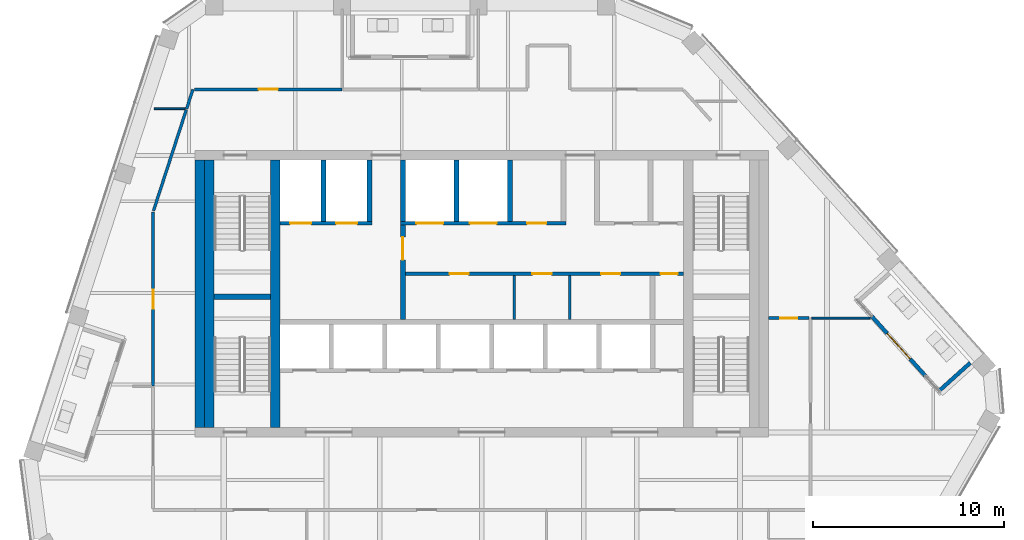
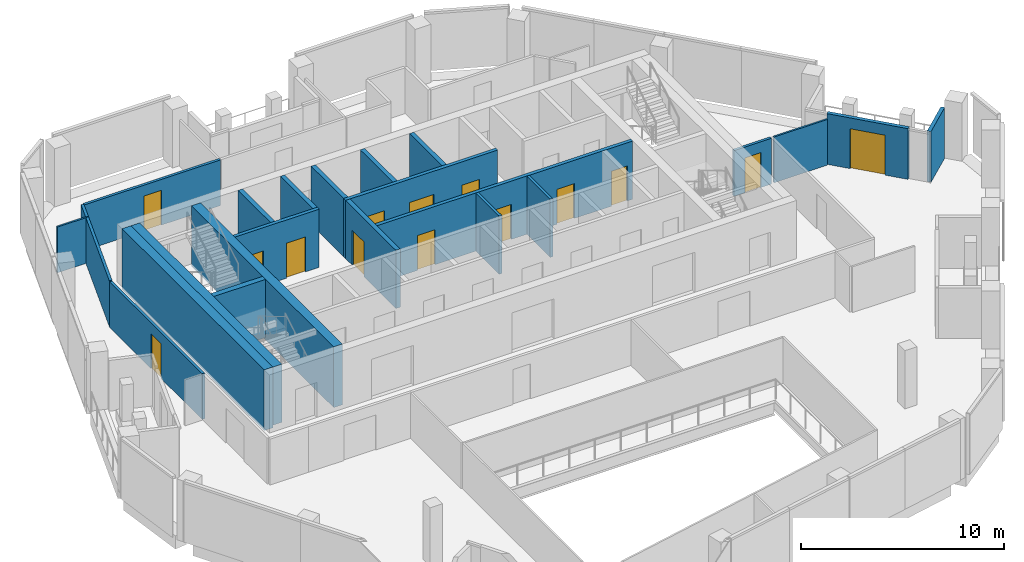
# One storey, part 12 of 20: 24 walls, 14 doors, 14 openings.
"""IFC4 building model written with IfcOpenShell, lengths in metres."""

from ifc_helpers import new_model, si_unit, direction, frame, frame_2d, origin, place, context, subcontext, project, spatial, rectangle, extrude, material, layer, layer_set, type_object, element, fill, save


model = new_model("IFC4")

# Units and contexts
model_context = context("Model", 3, precision=1e-05, world=origin(), true_north=direction((0.0, 1.0)))
body_context = subcontext(model_context, "Body", "Model", "MODEL_VIEW")
ifc_project = project(units=[si_unit("LENGTHUNIT", "METRE"), si_unit("AREAUNIT", "SQUARE_METRE"), si_unit("VOLUMEUNIT", "CUBIC_METRE"), si_unit("PLANEANGLEUNIT", "RADIAN"), si_unit("MASSUNIT", "GRAM", prefix="KILO")], contexts=[model_context])

# Site, building, storey
site_placement = place(None, origin())
site = spatial("IfcSite", under=ifc_project, at=site_placement, CompositionType="ELEMENT")
building_placement = place(site_placement, origin())
building = spatial("IfcBuilding", under=site, at=building_placement, Name="Isthmus Gate Tower", CompositionType="ELEMENT")
storey_placement = place(building_placement, frame((0.0, 0.0, 279.199951171875)))
storey = spatial("IfcBuildingStorey", under=building, at=storey_placement, Name="L71", CompositionType="ELEMENT", Elevation=279.199951171875)

# Wall
ifc_material_1 = material(Name="Gypsum board on steel studs, fire-rated", Category="steel")
ifc_layer_1 = layer(ifc_material_1, 0.14990234375)
ifc_layer_set_1 = layer_set([ifc_layer_1], Name="CORRIDOR WALL 150 60 MIN")
wall_type_1 = type_object("IfcWallType", Name="CORRIDOR WALL 150 60 MIN", PredefinedType="PARTITIONING", material=ifc_layer_set_1)
wall_1_placement = place(storey_placement, frame((-15.44189453125, 17.18701171875, 0.0), z_axis=(0.0, 0.0, 1.0), x_axis=(0.308790594164, 0.951130048393, 0.0)))
element("IfcWall", 1, at=wall_1_placement, inside=storey, type_object=wall_type_1, Name="L71 Corridor Wall 150 60 Min", PredefinedType="PARTITIONING", context=body_context, shape_type="SweptSolid", body=[
    extrude(rectangle(XDim=1.06494140625, YDim=0.14990234375, at=frame_2d((0.532470703125, 0.0))), origin(), (0.0, 0.0, 1.0), 2.750732421875),
])

# Wall, opening, door
wall_2_placement = place(storey_placement, frame((-15.0380859375, 18.199951171875, 0.0), z_axis=(0.0, 0.0, 1.0), x_axis=(1.0, 0.0, 0.0)))
wall_2 = element("IfcWall", 2, at=wall_2_placement, inside=storey, type_object=wall_type_1, Name="L71 Corridor Wall 150 60 Min", PredefinedType="PARTITIONING", context=body_context, shape_type="SweptSolid", body=[
    extrude(rectangle(XDim=7.72802734375, YDim=0.14990234375, at=frame_2d((3.864013671875, 0.0))), origin(), (0.0, 0.0, 1.0), 2.750732421875),
])
opening_1_placement = place(wall_2_placement, frame((3.364013671875, 0.0, 0.0)))
opening_1 = element("IfcOpeningElement", 3, at=opening_1_placement, cuts=wall_2, Name="Opening DT-T6B-01", PredefinedType="OPENING", context=body_context, shape_type="SweptSolid", body=[
    extrude(rectangle(XDim=1.0, YDim=2.10009765625, at=frame_2d((0.5, 1.050048828125))), frame((0.0, 0.0849609375, 0.0), z_axis=(0.0, -1.0, 0.0), x_axis=(1.0, 0.0, 0.0)), (0.0, 0.0, 1.0), 0.169921875),
])
ifc_material_2 = material(Name="Solid core timber door leaf, fire-rated", Category="wood")
door_type_1 = type_object("IfcDoorType", Name="FIRE DOOR ROOM 1000 X 2100 60 MIN", OperationType="SINGLE_SWING_LEFT", PredefinedType="DOOR", material=ifc_material_2)
door_1_placement = place(opening_1_placement, origin())
door_1 = element("IfcDoor", 4, at=door_1_placement, inside=storey, type_object=door_type_1, Name="L71 room door", OperationType="SINGLE_SWING_RIGHT", OverallHeight=2.10009765625, OverallWidth=1.0, PredefinedType="DOOR", context=body_context, shape_type="SweptSolid", body=[
    extrude(rectangle(XDim=1.0, YDim=2.10009765625, at=frame_2d((0.5, 1.050048828125))), frame((0.0, 0.02490234375, 0.0), z_axis=(0.0, -1.0, 0.0), x_axis=(1.0, 0.0, 0.0)), (0.0, 0.0, 1.0), 0.050048828125),
])
fill(opening_1, door_1)

wall_3_placement = place(storey_placement, frame((15.0, 6.235107421875, 0.0), z_axis=(0.0, 0.0, 1.0), x_axis=(1.0, 0.0, 0.0)))
wall_3 = element("IfcWall", 5, at=wall_3_placement, inside=storey, type_object=wall_type_1, Name="L71 Corridor Wall 150 60 Min", PredefinedType="PARTITIONING", context=body_context, shape_type="SweptSolid", body=[
    extrude(rectangle(XDim=2.125, YDim=0.14990234375, at=frame_2d((1.0625, 0.0))), origin(), (0.0, 0.0, 1.0), 2.750732421875),
])
opening_2_placement = place(wall_3_placement, frame((0.612548828125, 0.0, 0.0)))
opening_2 = element("IfcOpeningElement", 6, at=opening_2_placement, cuts=wall_3, Name="Opening DT-T6B-04", PredefinedType="OPENING", context=body_context, shape_type="SweptSolid", body=[
    extrude(rectangle(XDim=0.89990234375, YDim=2.10009765625, at=frame_2d((0.449951171875, 1.050048828125))), frame((0.0, 0.0849609375, 0.0), z_axis=(0.0, -1.0, 0.0), x_axis=(1.0, 0.0, 0.0)), (0.0, 0.0, 1.0), 0.169921875),
])
ifc_material_3 = material(Name="Solid core timber door leaf, fire-rated", Category="wood")
door_type_2 = type_object("IfcDoorType", Name="FIRE DOOR ROOM 900 X 2100 60 MIN", OperationType="SINGLE_SWING_LEFT", PredefinedType="DOOR", material=ifc_material_3)
door_2_placement = place(opening_2_placement, origin())
door_2 = element("IfcDoor", 7, at=door_2_placement, inside=storey, type_object=door_type_2, Name="L71 room door", OperationType="SINGLE_SWING_LEFT", OverallHeight=2.10009765625, OverallWidth=0.89990234375, PredefinedType="DOOR", context=body_context, shape_type="SweptSolid", body=[
    extrude(rectangle(XDim=0.89990234375, YDim=2.10009765625, at=frame_2d((0.449951171875, 1.050048828125))), frame((0.0, 0.02490234375, 0.0), z_axis=(0.0, -1.0, 0.0), x_axis=(1.0, 0.0, 0.0)), (0.0, 0.0, 1.0), 0.050048828125),
])
fill(opening_2, door_2)

wall_4_placement = place(storey_placement, frame((-17.199951171875, 2.669921875, 0.0), z_axis=(0.0, 0.0, 1.0), x_axis=(0.0, 1.0, 0.0)))
wall_4 = element("IfcWall", 8, at=wall_4_placement, inside=storey, type_object=wall_type_1, Name="L71 Corridor Wall 150 60 Min", PredefinedType="PARTITIONING", context=body_context, shape_type="SweptSolid", body=[
    extrude(rectangle(XDim=9.107177734375, YDim=0.14990234375, at=frame_2d((4.5537109375, 0.0))), origin(), (0.0, 0.0, 1.0), 2.750732421875),
])
opening_3_placement = place(wall_4_placement, frame((4.053466796875, 0.0, 0.0)))
opening_3 = element("IfcOpeningElement", 9, at=opening_3_placement, cuts=wall_4, Name="Opening DT-T6B-05", PredefinedType="OPENING", context=body_context, shape_type="SweptSolid", body=[
    extrude(rectangle(XDim=1.0, YDim=2.10009765625, at=frame_2d((0.5, 1.050048828125))), frame((0.0, 0.0849609375, 0.0), z_axis=(0.0, -1.0, 0.0), x_axis=(1.0, 0.0, 0.0)), (0.0, 0.0, 1.0), 0.169921875),
])
door_3_placement = place(opening_3_placement, origin())
door_3 = element("IfcDoor", 10, at=door_3_placement, inside=storey, type_object=door_type_1, Name="L71 room door", OperationType="SINGLE_SWING_RIGHT", OverallHeight=2.10009765625, OverallWidth=1.0, PredefinedType="DOOR", context=body_context, shape_type="SweptSolid", body=[
    extrude(rectangle(XDim=1.0, YDim=2.10009765625, at=frame_2d((0.5, 1.050048828125))), frame((0.0, 0.02490234375, 0.0), z_axis=(0.0, -1.0, 0.0), x_axis=(1.0, 0.0, 0.0)), (0.0, 0.0, 1.0), 0.050048828125),
])
fill(opening_3, door_3)

# Wall
wall_5_placement = place(storey_placement, frame((-17.1767578125, 11.848388671875, 0.0), z_axis=(0.0, 0.0, 1.0), x_axis=(0.309030503714, 0.951052126739, 0.0)))
element("IfcWall", 11, at=wall_5_placement, inside=storey, type_object=wall_type_1, Name="L71 Corridor Wall 150 60 Min", PredefinedType="PARTITIONING", context=body_context, shape_type="SweptSolid", body=[
    extrude(rectangle(XDim=5.563232421875, YDim=0.14990234375, at=frame_2d((2.78173828125, 0.0))), origin(), (0.0, 0.0, 1.0), 2.750732421875),
])

# Wall, opening, door
ifc_material_4 = material(Name="Fire-rated blockwork masonry, 15 MPa", Category="masonry")
ifc_layer_2 = layer(ifc_material_4, 0.25)
ifc_layer_set_2 = layer_set([ifc_layer_2], Name="FIRE-FIGHTING LOBBY WALL 250 90 MIN")
wall_type_2 = type_object("IfcWallType", Name="FIRE-FIGHTING LOBBY WALL 250 90 MIN", PredefinedType="PARTITIONING", material=ifc_layer_set_2)
wall_6_placement = place(storey_placement, frame((-4.125, 6.14990234375, 0.0), z_axis=(0.0, 0.0, 1.0), x_axis=(0.0, 1.0, 0.0)))
wall_6 = element("IfcWall", 12, at=wall_6_placement, inside=storey, type_object=wall_type_2, Name="L71 FIRE-FIGHTING LOBBY WALL 250 90 MIN", PredefinedType="PARTITIONING", context=body_context, shape_type="SweptSolid", body=[
    extrude(rectangle(XDim=4.9501953125, YDim=0.25, at=frame_2d((2.47509765625, 0.0))), origin(), (0.0, 0.0, 1.0), 3.5),
])
opening_4_placement = place(wall_6_placement, frame((3.125, 0.0, 0.0)))
opening_4 = element("IfcOpeningElement", 13, at=opening_4_placement, cuts=wall_6, Name="Opening DC-A17-01", PredefinedType="OPENING", context=body_context, shape_type="SweptSolid", body=[
    extrude(rectangle(XDim=1.199951171875, YDim=2.10009765625, at=frame_2d((0.60009765625, 1.050048828125))), frame((0.0, 0.135009765625, 0.0), z_axis=(0.0, -1.0, 0.0), x_axis=(1.0, 0.0, 0.0)), (0.0, 0.0, 1.0), 0.27001953125),
])
ifc_material_5 = material(Name="Steel door leaf, fire-rated", Category="steel")
door_type_3 = type_object("IfcDoorType", Name="LOBBY FIRE DOOR 1200 X 2100 90 MIN", OperationType="DOUBLE_DOOR_SINGLE_SWING", PredefinedType="DOOR", material=ifc_material_5)
door_4_placement = place(opening_4_placement, origin())
door_4 = element("IfcDoor", 14, at=door_4_placement, inside=storey, type_object=door_type_3, Name="Fire-fighting Lobby Door", OperationType="SINGLE_SWING_LEFT", OverallHeight=2.10009765625, OverallWidth=1.199951171875, PredefinedType="DOOR", context=body_context, shape_type="SweptSolid", body=[
    extrude(rectangle(XDim=1.199951171875, YDim=2.10009765625, at=frame_2d((0.60009765625, 1.050048828125))), frame((0.0, 0.02490234375, 0.0), z_axis=(0.0, -1.0, 0.0), x_axis=(1.0, 0.0, 0.0)), (0.0, 0.0, 1.0), 0.050048828125),
])
fill(opening_4, door_4)

ifc_material_6 = material(Name="Precast concrete C40/50", Category="concrete")
ifc_layer_3 = layer(ifc_material_6, 0.199951171875)
ifc_layer_set_3 = layer_set([ifc_layer_3], Name="LOGGIA WALL 200")
wall_type_3 = type_object("IfcWallType", Name="LOGGIA WALL 200", PredefinedType="SOLIDWALL", material=ifc_layer_set_3)
wall_7_placement = place(storey_placement, frame((23.216552734375, 3.204345703125, 0.0), z_axis=(0.0, 0.0, 1.0), x_axis=(-0.669138140895, 0.743138041282, 0.0)))
wall_7 = element("IfcWall", 15, at=wall_7_placement, inside=storey, type_object=wall_type_3, Name="LOGGIA BACK WALL", PredefinedType="SOLIDWALL", context=body_context, shape_type="SweptSolid", body=[
    extrude(rectangle(XDim=4.199951171875, YDim=0.199951171875, at=frame_2d((2.10009765625, 0.0))), origin(), (0.0, 0.0, 1.0), 3.050048828125),
])
opening_5_placement = place(wall_7_placement, frame((1.199951171875, 0.0, 0.0)))
opening_5 = element("IfcOpeningElement", 16, at=opening_5_placement, cuts=wall_7, Name="Opening DE71-05", PredefinedType="OPENING", context=body_context, shape_type="SweptSolid", body=[
    extrude(rectangle(XDim=1.800048828125, YDim=2.39990234375, at=frame_2d((0.89990234375, 1.199951171875))), frame((0.0, 0.10986328125, 0.0), z_axis=(0.0, -1.0, 0.0), x_axis=(1.0, 0.0, 0.0)), (0.0, 0.0, 1.0), 0.219970703125),
])
ifc_material_7 = material(Name="Aluminium, pale champagne anodised, laminated glass", Category="aluminium")
door_type_4 = type_object("IfcDoorType", Name="LOGGIA DOOR SLIDING 1800 X 2400", OperationType="DOUBLE_DOOR_SLIDING", PredefinedType="DOOR", material=ifc_material_7)
door_5_placement = place(opening_5_placement, origin())
door_5 = element("IfcDoor", 17, at=door_5_placement, inside=storey, type_object=door_type_4, Name="DOOR DE71-05", OperationType="SINGLE_SWING_LEFT", OverallHeight=2.39990234375, OverallWidth=1.800048828125, PredefinedType="DOOR", context=body_context, shape_type="SweptSolid", body=[
    extrude(rectangle(XDim=1.800048828125, YDim=2.39990234375, at=frame_2d((0.89990234375, 1.199951171875))), frame((0.0, 0.02490234375, 0.0), z_axis=(0.0, -1.0, 0.0), x_axis=(1.0, 0.0, 0.0)), (0.0, 0.0, 1.0), 0.050048828125),
])
fill(opening_5, door_5)

# Walls
wall_8_placement = place(storey_placement, frame((25.556396484375, 3.8935546875, 0.0), z_axis=(0.0, 0.0, 1.0), x_axis=(-0.743138493482, -0.669137638686, 0.0)))
element("IfcWall", 18, at=wall_8_placement, inside=storey, type_object=wall_type_3, Name="LOGGIA SIDE WALL", PredefinedType="SOLIDWALL", context=body_context, shape_type="SweptSolid", body=[
    extrude(rectangle(XDim=2.18408203125, YDim=0.199951171875, at=frame_2d((1.092041015625, 0.0))), origin(), (0.0, 0.0, 1.0), 3.050048828125),
])
ifc_material_8 = material(Name="Concrete f'c 50 MPa", Category="concrete")
ifc_layer_4 = layer(ifc_material_8, 0.5)
ifc_layer_set_4 = layer_set([ifc_layer_4], Name="RC CORE SPINE WALL 500 F'C 50")
wall_type_4 = type_object("IfcWallType", Name="RC CORE SPINE WALL 500 F'C 50", PredefinedType="SOLIDWALL", material=ifc_layer_set_4)
wall_9_placement = place(storey_placement, frame((-10.800048828125, 0.5, -0.14990234375), z_axis=(0.0, 0.0, 1.0), x_axis=(0.0, 1.0, 0.0)))
element("IfcWall", 19, at=wall_9_placement, inside=storey, type_object=wall_type_4, Name="str-corewall-L71-SPW", PredefinedType="SOLIDWALL", context=body_context, shape_type="SweptSolid", body=[
    extrude(rectangle(XDim=14.0, YDim=0.5, at=frame_2d((7.0, 0.0))), origin(), (0.0, 0.0, 1.0), 3.64990234375),
])
ifc_material_9 = material(Name="Concrete f'c 50 MPa", Category="concrete")
ifc_layer_5 = layer(ifc_material_9, 0.5)
ifc_layer_set_5 = layer_set([ifc_layer_5], Name="RC CORE WALL 500 F'C 50")
wall_type_5 = type_object("IfcWallType", Name="RC CORE WALL 500 F'C 50", PredefinedType="SOLIDWALL", material=ifc_layer_set_5)
wall_10_placement = place(storey_placement, frame((-14.75, 0.5, -0.14990234375), z_axis=(0.0, 0.0, 1.0), x_axis=(0.0, 1.0, 0.0)))
element("IfcWall", 20, at=wall_10_placement, inside=storey, type_object=wall_type_5, Name="str-corewall-L71-W", PredefinedType="SOLIDWALL", context=body_context, shape_type="SweptSolid", body=[
    extrude(rectangle(XDim=14.0, YDim=0.5, at=frame_2d((7.0, 0.0))), origin(), (0.0, 0.0, 1.0), 3.64990234375),
])
ifc_material_10 = material(Name="Gypsum board on steel studs, fire-rated", Category="steel")
ifc_layer_6 = layer(ifc_material_10, 0.10009765625)
ifc_layer_set_6 = layer_set([ifc_layer_6], Name="ROOM PARTITION 100 30 MIN")
wall_type_6 = type_object("IfcWallType", Name="ROOM PARTITION 100 30 MIN", PredefinedType="PARTITIONING", material=ifc_layer_set_6)
wall_11_placement = place(storey_placement, frame((-17.139892578125, 17.18701171875, 0.0), z_axis=(0.0, 0.0, 1.0), x_axis=(1.0, 0.0, 0.0)))
element("IfcWall", 21, at=wall_11_placement, inside=storey, type_object=wall_type_6, Name="L71 Room Partition 100 30 Min", PredefinedType="PARTITIONING", context=body_context, shape_type="SweptSolid", body=[
    extrude(rectangle(XDim=1.622802734375, YDim=0.10009765625, at=frame_2d((0.8115234375, 0.0))), origin(), (0.0, 0.0, 1.0), 2.750732421875),
])
wall_12_placement = place(storey_placement, frame((17.27490234375, 6.235107421875, 0.0), z_axis=(0.0, 0.0, 1.0), x_axis=(0.999999971117, 0.000240346091, 0.0)))
element("IfcWall", 22, at=wall_12_placement, inside=storey, type_object=wall_type_6, Name="L71 Room Partition 100 30 Min", PredefinedType="PARTITIONING", context=body_context, shape_type="SweptSolid", body=[
    extrude(rectangle(XDim=3.04736328125, YDim=0.10009765625, at=frame_2d((1.523681640625, 0.0))), origin(), (0.0, 0.0, 1.0), 2.750732421875),
])
ifc_material_11 = material(Name="Gypsum board on steel studs, fire-rated", Category="steel")
ifc_layer_7 = layer(ifc_material_11, 0.14990234375)
ifc_layer_set_7 = layer_set([ifc_layer_7], Name="ROOM PARTITION 150 60 MIN")
wall_type_7 = type_object("IfcWallType", Name="ROOM PARTITION 150 60 MIN", PredefinedType="PARTITIONING", material=ifc_layer_set_7)
for number, where, z_axis, x_axis, name in (
    (23, (1.699951171875, 6.14990234375, 0.0), (0.0, 0.0, 1.0), (0.0, 1.0, 0.0), "L71 ROOM PARTITION 150 60 MIN"),
    (24, (4.60009765625, 6.14990234375, 0.0), (0.0, 0.0, 1.0), (0.0, 1.0, 0.0), "L71 ROOM PARTITION 150 60 MIN"),
):
    element("IfcWall", number, at=place(storey_placement, frame(where, z_axis=z_axis, x_axis=x_axis)), inside=storey, type_object=wall_type_7, Name=name, PredefinedType="PARTITIONING", context=body_context, shape_type="SweptSolid", body=[
        extrude(rectangle(XDim=2.300048828125, YDim=0.14990234375, at=frame_2d((1.14990234375, 0.0))), origin(), (0.0, 0.0, 1.0), 3.5),
    ])

# Wall, openings, doors
ifc_material_12 = material(Name="Fire-rated blockwork masonry, 15 MPa", Category="masonry")
ifc_layer_8 = layer(ifc_material_12, 0.199951171875)
ifc_layer_set_8 = layer_set([ifc_layer_8], Name="SHAFT FRONT WALL 200 120 MIN")
wall_type_8 = type_object("IfcWallType", Name="SHAFT FRONT WALL 200 120 MIN", PredefinedType="PARTITIONING", material=ifc_layer_set_8)
wall_13_placement = place(storey_placement, frame((-4.125, 8.550048828125, 0.0), z_axis=(0.0, 0.0, 1.0), x_axis=(1.0, 0.0, 0.0)))
wall_13 = element("IfcWall", 25, at=wall_13_placement, inside=storey, type_object=wall_type_8, Name="L71 SHAFT FRONT WALL 200 120 MIN", PredefinedType="PARTITIONING", context=body_context, shape_type="SweptSolid", body=[
    extrude(rectangle(XDim=14.675048828125, YDim=0.199951171875, at=frame_2d((7.33740234375, 0.0))), origin(), (0.0, 0.0, 1.0), 3.5),
])
opening_6_placement = place(wall_13_placement, frame((2.4375, 0.0, 0.0)))
opening_6 = element("IfcOpeningElement", 26, at=opening_6_placement, cuts=wall_13, Name="Opening DC-A17-03", PredefinedType="OPENING", context=body_context, shape_type="SweptSolid", body=[
    extrude(rectangle(XDim=1.0, YDim=2.10009765625, at=frame_2d((0.5, 1.050048828125))), frame((0.0, 0.10986328125, 0.0), z_axis=(0.0, -1.0, 0.0), x_axis=(1.0, 0.0, 0.0)), (0.0, 0.0, 1.0), 0.219970703125),
])
opening_7_placement = place(wall_13_placement, frame((6.77490234375, 0.0, 0.0)))
opening_7 = element("IfcOpeningElement", 27, at=opening_7_placement, cuts=wall_13, Name="Opening DC-A17-04", PredefinedType="OPENING", context=body_context, shape_type="SweptSolid", body=[
    extrude(rectangle(XDim=1.0, YDim=2.10009765625, at=frame_2d((0.5, 1.050048828125))), frame((0.0, 0.10986328125, 0.0), z_axis=(0.0, -1.0, 0.0), x_axis=(1.0, 0.0, 0.0)), (0.0, 0.0, 1.0), 0.219970703125),
])
opening_8_placement = place(wall_13_placement, frame((10.362548828125, 0.0, 0.0)))
opening_8 = element("IfcOpeningElement", 28, at=opening_8_placement, cuts=wall_13, Name="Opening DC-A17-05", PredefinedType="OPENING", context=body_context, shape_type="SweptSolid", body=[
    extrude(rectangle(XDim=1.0, YDim=2.10009765625, at=frame_2d((0.5, 1.050048828125))), frame((0.0, 0.10986328125, 0.0), z_axis=(0.0, -1.0, 0.0), x_axis=(1.0, 0.0, 0.0)), (0.0, 0.0, 1.0), 0.219970703125),
])
opening_9_placement = place(wall_13_placement, frame((13.47509765625, 0.0, 0.0)))
opening_9 = element("IfcOpeningElement", 29, at=opening_9_placement, cuts=wall_13, Name="Opening DC-A17-06", PredefinedType="OPENING", context=body_context, shape_type="SweptSolid", body=[
    extrude(rectangle(XDim=0.89990234375, YDim=2.10009765625, at=frame_2d((0.449951171875, 1.050048828125))), frame((0.0, 0.10986328125, 0.0), z_axis=(0.0, -1.0, 0.0), x_axis=(1.0, 0.0, 0.0)), (0.0, 0.0, 1.0), 0.219970703125),
])
ifc_material_13 = material(Name="Steel door leaf, fire-rated", Category="steel")
door_type_5 = type_object("IfcDoorType", Name="FIRE DOOR 1000 X 2100 60 MIN", OperationType="SINGLE_SWING_LEFT", PredefinedType="DOOR", material=ifc_material_13)
door_6_placement = place(opening_6_placement, origin())
door_6 = element("IfcDoor", 30, at=door_6_placement, inside=storey, type_object=door_type_5, Name="WC Men Door", OperationType="SINGLE_SWING_LEFT", OverallHeight=2.10009765625, OverallWidth=1.0, PredefinedType="DOOR", context=body_context, shape_type="SweptSolid", body=[
    extrude(rectangle(XDim=1.0, YDim=2.10009765625, at=frame_2d((0.5, 1.050048828125))), frame((0.0, 0.02490234375, 0.0), z_axis=(0.0, -1.0, 0.0), x_axis=(1.0, 0.0, 0.0)), (0.0, 0.0, 1.0), 0.050048828125),
])
fill(opening_6, door_6)
door_7_placement = place(opening_7_placement, origin())
door_7 = element("IfcDoor", 31, at=door_7_placement, inside=storey, type_object=door_type_5, Name="Accessible WC Door", OperationType="SINGLE_SWING_RIGHT", OverallHeight=2.10009765625, OverallWidth=1.0, PredefinedType="DOOR", context=body_context, shape_type="SweptSolid", body=[
    extrude(rectangle(XDim=1.0, YDim=2.10009765625, at=frame_2d((0.5, 1.050048828125))), frame((0.0, 0.02490234375, 0.0), z_axis=(0.0, -1.0, 0.0), x_axis=(1.0, 0.0, 0.0)), (0.0, 0.0, 1.0), 0.050048828125),
])
fill(opening_7, door_7)
door_8_placement = place(opening_8_placement, origin())
door_8 = element("IfcDoor", 32, at=door_8_placement, inside=storey, type_object=door_type_5, Name="WC Women Door", OperationType="SINGLE_SWING_LEFT", OverallHeight=2.10009765625, OverallWidth=1.0, PredefinedType="DOOR", context=body_context, shape_type="SweptSolid", body=[
    extrude(rectangle(XDim=1.0, YDim=2.10009765625, at=frame_2d((0.5, 1.050048828125))), frame((0.0, 0.02490234375, 0.0), z_axis=(0.0, -1.0, 0.0), x_axis=(1.0, 0.0, 0.0)), (0.0, 0.0, 1.0), 0.050048828125),
])
fill(opening_8, door_8)
ifc_material_14 = material(Name="Steel door leaf, fire-rated", Category="steel")
door_type_6 = type_object("IfcDoorType", Name="RISER FIRE DOOR 900 X 2100 90 MIN", OperationType="SINGLE_SWING_LEFT", PredefinedType="DOOR", material=ifc_material_14)
door_9_placement = place(opening_9_placement, origin())
door_9 = element("IfcDoor", 33, at=door_9_placement, inside=storey, type_object=door_type_6, Name="Riser Door", OperationType="SINGLE_SWING_RIGHT", OverallHeight=2.10009765625, OverallWidth=0.89990234375, PredefinedType="DOOR", context=body_context, shape_type="SweptSolid", body=[
    extrude(rectangle(XDim=0.89990234375, YDim=2.10009765625, at=frame_2d((0.449951171875, 1.050048828125))), frame((0.0, 0.02490234375, 0.0), z_axis=(0.0, -1.0, 0.0), x_axis=(1.0, 0.0, 0.0)), (0.0, 0.0, 1.0), 0.050048828125),
])
fill(opening_9, door_9)

wall_14_placement = place(storey_placement, frame((-10.550048828125, 11.199951171875, 0.0), z_axis=(0.0, 0.0, 1.0), x_axis=(1.0, 0.0, 0.0)))
wall_14 = element("IfcWall", 34, at=wall_14_placement, inside=storey, type_object=wall_type_8, Name="L71 SHAFT FRONT WALL 200 120 MIN", PredefinedType="PARTITIONING", context=body_context, shape_type="SweptSolid", body=[
    extrude(rectangle(XDim=4.800048828125, YDim=0.199951171875, at=frame_2d((2.39990234375, 0.0))), origin(), (0.0, 0.0, 1.0), 3.5),
])
opening_10_placement = place(wall_14_placement, frame((0.52490234375, 0.0, 0.0)))
opening_10 = element("IfcOpeningElement", 35, at=opening_10_placement, cuts=wall_14, Name="Opening LD-LF1", PredefinedType="OPENING", context=body_context, shape_type="SweptSolid", body=[
    extrude(rectangle(XDim=1.10009765625, YDim=2.10009765625, at=frame_2d((0.550048828125, 1.050048828125))), frame((0.0, 0.10986328125, 0.0), z_axis=(0.0, -1.0, 0.0), x_axis=(1.0, 0.0, 0.0)), (0.0, 0.0, 1.0), 0.219970703125),
])
opening_11_placement = place(wall_14_placement, frame((2.925048828125, 0.0, 0.0)))
opening_11 = element("IfcOpeningElement", 36, at=opening_11_placement, cuts=wall_14, Name="Opening LD-LF2", PredefinedType="OPENING", context=body_context, shape_type="SweptSolid", body=[
    extrude(rectangle(XDim=1.10009765625, YDim=2.10009765625, at=frame_2d((0.550048828125, 1.050048828125))), frame((0.0, 0.10986328125, 0.0), z_axis=(0.0, -1.0, 0.0), x_axis=(1.0, 0.0, 0.0)), (0.0, 0.0, 1.0), 0.219970703125),
])
ifc_material_15 = material(Name="Stainless steel sliding leaf", Category="steel")
door_type_7 = type_object("IfcDoorType", Name="LIFT LANDING FIRE DOOR 1100 X 2100 90 MIN", OperationType="DOUBLE_DOOR_SLIDING", PredefinedType="DOOR", material=ifc_material_15)
door_10_placement = place(opening_10_placement, origin())
door_10 = element("IfcDoor", 37, at=door_10_placement, inside=storey, type_object=door_type_7, Name="Lift Landing Door LF1", OperationType="DOUBLE_DOOR_SLIDING", OverallHeight=2.10009765625, OverallWidth=1.10009765625, PredefinedType="DOOR", context=body_context, shape_type="SweptSolid", body=[
    extrude(rectangle(XDim=1.10009765625, YDim=2.10009765625, at=frame_2d((0.550048828125, 1.050048828125))), frame((0.0, 0.02490234375, 0.0), z_axis=(0.0, -1.0, 0.0), x_axis=(1.0, 0.0, 0.0)), (0.0, 0.0, 1.0), 0.050048828125),
])
fill(opening_10, door_10)
door_11_placement = place(opening_11_placement, origin())
door_11 = element("IfcDoor", 38, at=door_11_placement, inside=storey, type_object=door_type_7, Name="Lift Landing Door LF2", OperationType="DOUBLE_DOOR_SLIDING", OverallHeight=2.10009765625, OverallWidth=1.10009765625, PredefinedType="DOOR", context=body_context, shape_type="SweptSolid", body=[
    extrude(rectangle(XDim=1.10009765625, YDim=2.10009765625, at=frame_2d((0.550048828125, 1.050048828125))), frame((0.0, 0.02490234375, 0.0), z_axis=(0.0, -1.0, 0.0), x_axis=(1.0, 0.0, 0.0)), (0.0, 0.0, 1.0), 0.050048828125),
])
fill(opening_11, door_11)

wall_15_placement = place(storey_placement, frame((-4.25, 11.199951171875, 0.0), z_axis=(0.0, 0.0, 1.0), x_axis=(1.0, 0.0, 0.0)))
wall_15 = element("IfcWall", 39, at=wall_15_placement, inside=storey, type_object=wall_type_8, Name="L71 SHAFT FRONT WALL 200 120 MIN", PredefinedType="PARTITIONING", context=body_context, shape_type="SweptSolid", body=[
    extrude(rectangle(XDim=8.64990234375, YDim=0.199951171875, at=frame_2d((4.324951171875, 0.0))), origin(), (0.0, 0.0, 1.0), 3.5),
])
opening_12_placement = place(wall_15_placement, frame((0.824951171875, 0.0, 0.0)))
opening_12 = element("IfcOpeningElement", 40, at=opening_12_placement, cuts=wall_15, Name="Opening LD-LV1", PredefinedType="OPENING", context=body_context, shape_type="SweptSolid", body=[
    extrude(rectangle(XDim=1.39990234375, YDim=2.10009765625, at=frame_2d((0.699951171875, 1.050048828125))), frame((0.0, 0.10986328125, 0.0), z_axis=(0.0, -1.0, 0.0), x_axis=(1.0, 0.0, 0.0)), (0.0, 0.0, 1.0), 0.219970703125),
])
opening_13_placement = place(wall_15_placement, frame((3.625, 0.0, 0.0)))
opening_13 = element("IfcOpeningElement", 41, at=opening_13_placement, cuts=wall_15, Name="Opening LD-LV2", PredefinedType="OPENING", context=body_context, shape_type="SweptSolid", body=[
    extrude(rectangle(XDim=1.39990234375, YDim=2.10009765625, at=frame_2d((0.699951171875, 1.050048828125))), frame((0.0, 0.10986328125, 0.0), z_axis=(0.0, -1.0, 0.0), x_axis=(1.0, 0.0, 0.0)), (0.0, 0.0, 1.0), 0.219970703125),
])
opening_14_placement = place(wall_15_placement, frame((6.625, 0.0, 0.0)))
opening_14 = element("IfcOpeningElement", 42, at=opening_14_placement, cuts=wall_15, Name="Opening DC-A17-07", PredefinedType="OPENING", context=body_context, shape_type="SweptSolid", body=[
    extrude(rectangle(XDim=1.0, YDim=2.10009765625, at=frame_2d((0.5, 1.050048828125))), frame((0.0, 0.10986328125, 0.0), z_axis=(0.0, -1.0, 0.0), x_axis=(1.0, 0.0, 0.0)), (0.0, 0.0, 1.0), 0.219970703125),
])
door_12_placement = place(opening_14_placement, origin())
door_12 = element("IfcDoor", 43, at=door_12_placement, inside=storey, type_object=door_type_5, Name="Pantry Door", OperationType="SINGLE_SWING_LEFT", OverallHeight=2.10009765625, OverallWidth=1.0, PredefinedType="DOOR", context=body_context, shape_type="SweptSolid", body=[
    extrude(rectangle(XDim=1.0, YDim=2.10009765625, at=frame_2d((0.5, 1.050048828125))), frame((0.0, 0.02490234375, 0.0), z_axis=(0.0, -1.0, 0.0), x_axis=(1.0, 0.0, 0.0)), (0.0, 0.0, 1.0), 0.050048828125),
])
fill(opening_14, door_12)
ifc_material_16 = material(Name="Stainless steel sliding leaf", Category="steel")
door_type_8 = type_object("IfcDoorType", Name="LIFT LANDING FIRE DOOR 1400 X 2100 90 MIN", OperationType="DOUBLE_DOOR_SLIDING", PredefinedType="DOOR", material=ifc_material_16)
door_13_placement = place(opening_12_placement, origin())
door_13 = element("IfcDoor", 44, at=door_13_placement, inside=storey, type_object=door_type_8, Name="Lift Landing Door LV1", OperationType="DOUBLE_DOOR_SLIDING", OverallHeight=2.10009765625, OverallWidth=1.39990234375, PredefinedType="DOOR", context=body_context, shape_type="SweptSolid", body=[
    extrude(rectangle(XDim=1.39990234375, YDim=2.10009765625, at=frame_2d((0.699951171875, 1.050048828125))), frame((0.0, 0.02490234375, 0.0), z_axis=(0.0, -1.0, 0.0), x_axis=(1.0, 0.0, 0.0)), (0.0, 0.0, 1.0), 0.050048828125),
])
fill(opening_12, door_13)
door_14_placement = place(opening_13_placement, origin())
door_14 = element("IfcDoor", 45, at=door_14_placement, inside=storey, type_object=door_type_8, Name="Lift Landing Door LV2", OperationType="DOUBLE_DOOR_SLIDING", OverallHeight=2.10009765625, OverallWidth=1.39990234375, PredefinedType="DOOR", context=body_context, shape_type="SweptSolid", body=[
    extrude(rectangle(XDim=1.39990234375, YDim=2.10009765625, at=frame_2d((0.699951171875, 1.050048828125))), frame((0.0, 0.02490234375, 0.0), z_axis=(0.0, -1.0, 0.0), x_axis=(1.0, 0.0, 0.0)), (0.0, 0.0, 1.0), 0.050048828125),
])
fill(opening_13, door_14)

# Walls
ifc_material_17 = material(Name="Fire-rated blockwork masonry, 15 MPa", Category="masonry")
ifc_layer_9 = layer(ifc_material_17, 0.25)
ifc_layer_set_9 = layer_set([ifc_layer_9], Name="SHAFT WALL 250 120 MIN")
wall_type_9 = type_object("IfcWallType", Name="SHAFT WALL 250 120 MIN", PredefinedType="PARTITIONING", material=ifc_layer_set_9)
for number, where, z_axis, x_axis, name in (
    (46, (-8.27490234375, 11.300048828125, 0.0), (0.0, 0.0, 1.0), (0.0, 1.0, 0.0), "L71 SHAFT WALL 250 120 MIN"),
    (47, (-5.875, 11.300048828125, 0.0), (0.0, 0.0, 1.0), (0.0, 1.0, 0.0), "L71 SHAFT WALL 250 120 MIN"),
    (48, (-4.125, 11.300048828125, 0.0), (0.0, 0.0, 1.0), (0.0, 1.0, 0.0), "L71 SHAFT WALL 250 120 MIN"),
    (49, (-1.324951171875, 11.300048828125, 0.0), (0.0, 0.0, 1.0), (0.0, 1.0, 0.0), "L71 SHAFT WALL 250 120 MIN"),
    (50, (1.47509765625, 11.300048828125, 0.0), (0.0, 0.0, 1.0), (0.0, 1.0, 0.0), "L71 SHAFT WALL 250 120 MIN"),
):
    element("IfcWall", number, at=place(storey_placement, frame(where, z_axis=z_axis, x_axis=x_axis)), inside=storey, type_object=wall_type_9, Name=name, PredefinedType="PARTITIONING", context=body_context, shape_type="SweptSolid", body=[
        extrude(rectangle(XDim=3.199951171875, YDim=0.25, at=frame_2d((1.60009765625, 0.0))), origin(), (0.0, 0.0, 1.0), 3.5),
    ])
ifc_material_18 = material(Name="Concrete f'c 40 MPa", Category="concrete")
ifc_layer_10 = layer(ifc_material_18, 0.300048828125)
ifc_layer_set_10 = layer_set([ifc_layer_10], Name="STAIR ENCLOSURE WALL 300 180 MIN")
wall_type_10 = type_object("IfcWallType", Name="STAIR ENCLOSURE WALL 300 180 MIN", PredefinedType="SOLIDWALL", material=ifc_layer_set_10)
wall_16_placement = place(storey_placement, frame((-14.0, 7.35009765625, 0.0), z_axis=(0.0, 0.0, 1.0), x_axis=(1.0, 0.0, 0.0)))
element("IfcWall", 51, at=wall_16_placement, inside=storey, type_object=wall_type_10, Name="L71 STAIR ENCLOSURE WALL 300 180 MIN", PredefinedType="SOLIDWALL", context=body_context, shape_type="SweptSolid", body=[
    extrude(rectangle(XDim=2.949951171875, YDim=0.300048828125, at=frame_2d((1.47509765625, 0.0))), origin(), (0.0, 0.0, 1.0), 3.5),
])
ifc_material_19 = material(Name="Concrete f'c 40 MPa", Category="concrete")
ifc_layer_11 = layer(ifc_material_19, 0.5)
ifc_layer_set_11 = layer_set([ifc_layer_11], Name="STAIR ENCLOSURE WALL 500 180 MIN")
wall_type_11 = type_object("IfcWallType", Name="STAIR ENCLOSURE WALL 500 180 MIN", PredefinedType="SOLIDWALL", material=ifc_layer_set_11)
wall_17_placement = place(storey_placement, frame((-14.25, 0.5, 0.0), z_axis=(0.0, 0.0, 1.0), x_axis=(0.0, 1.0, 0.0)))
element("IfcWall", 52, at=wall_17_placement, inside=storey, type_object=wall_type_11, Name="L71 STAIR ENCLOSURE WALL 500 180 MIN", PredefinedType="SOLIDWALL", context=body_context, shape_type="SweptSolid", body=[
    extrude(rectangle(XDim=14.0, YDim=0.5, at=frame_2d((7.0, 0.0))), origin(), (0.0, 0.0, 1.0), 3.5),
])

save(model, "model.ifc")
